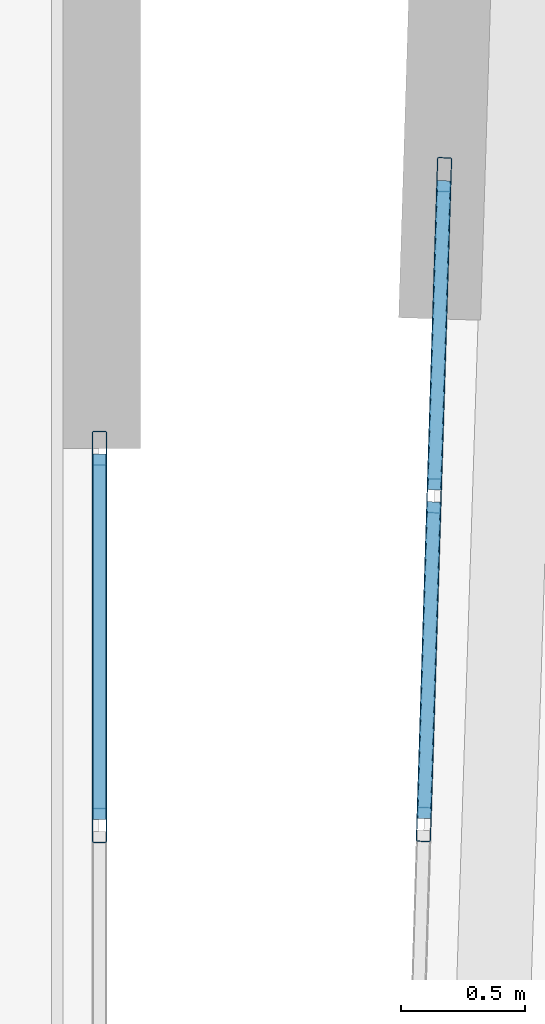
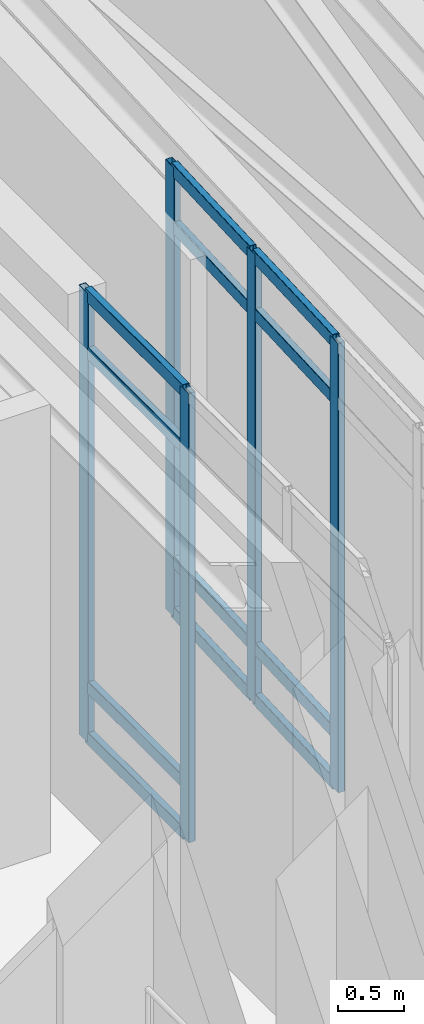
# One storey, part 11 of 19: 17 members, 2 elements without a shape of their own.
"""IFC4 building model written with IfcOpenShell, lengths in metres."""

from ifc_helpers import new_model, si_unit, direction, frame, origin, origin_2d, place, context, subcontext, project, spatial, hollow_rectangle, extrude, material, layer, layer_set, material_profile, profile_set, type_object, element, aggregate, save


model = new_model("IFC4")

# Units and contexts
model_context = context("Model", 3, precision=1e-05, world=origin(), true_north=direction((0.0, 1.0)))
body_context = subcontext(model_context, "Body", "Model", "MODEL_VIEW")
ifc_project = project(units=[si_unit("LENGTHUNIT", "METRE"), si_unit("AREAUNIT", "SQUARE_METRE"), si_unit("VOLUMEUNIT", "CUBIC_METRE"), si_unit("PLANEANGLEUNIT", "RADIAN"), si_unit("MASSUNIT", "GRAM", prefix="KILO")], contexts=[model_context])

# Site, building, storey
site_placement = place(None, origin())
site = spatial("IfcSite", under=ifc_project, at=site_placement, CompositionType="ELEMENT")
building_placement = place(site_placement, origin())
building = spatial("IfcBuilding", under=site, at=building_placement, Name="Ndelora Gate Hotel", CompositionType="ELEMENT")
storey_placement = place(building_placement, frame((0.0, 0.0, 286.0)))
storey = spatial("IfcBuildingStorey", under=building, at=storey_placement, Name="L71", CompositionType="ELEMENT", Elevation=286.0)

# Curtain wall, members
ifc_material_1 = material(Name="Bronze Anodised Unitised Aluminium and Low-E Glass", Category="aluminium")
ifc_layer = layer(ifc_material_1, 0.199951171875)
ifc_layer_set = layer_set([ifc_layer], Name="Bronze Anodised Unitised Aluminium and Low-E Glass")
curtain_wall_type = type_object("IfcCurtainWallType", Name="CW-SYS-8", PredefinedType="NOTDEFINED", material=ifc_layer_set)
curtain_wall_1_placement = place(storey_placement, origin())
curtain_wall_1 = element("IfcCurtainWall", 1, at=curtain_wall_1_placement, inside=storey, type_object=curtain_wall_type, Name="L71 Split-Crown West Cleft Lantern Curtain Wall CW8-2", PredefinedType="NOTDEFINED")
ifc_material_2 = material(Name="Bronze Anodised Aluminium 6063-T6", Category="aluminium")
ifc_material_profile_1 = material_profile(ifc_material_2, hollow_rectangle(XDim=0.06005859375, YDim=0.139892578125, WallThickness=0.00390625, InnerFilletRadius=0.00390625, OuterFilletRadius=0.008056640625, at=origin_2d()), Name="ALU 140x60x4")
ifc_profile_set_1 = profile_set([ifc_material_profile_1], Name="Bronze Anodised Aluminium 6063-T6")
member_type_1 = type_object("IfcMemberType", Name="MB-CW-MUL140", PredefinedType="MULLION", material=ifc_profile_set_1)
member_1_placement = place(storey_placement, frame((8.85009765625, 4.0, -0.00390625), z_axis=(0.0, 0.0, 1.0), x_axis=(-1.0, 0.0, 0.0)))
member_1 = element("IfcMember", 2, at=member_1_placement, type_object=member_type_1, Name="CW8 mullion 3", PredefinedType="MULLION", context=body_context, shape_type="SweptSolid", body=[
    extrude(hollow_rectangle(XDim=0.06005859375, YDim=0.139892578125, WallThickness=0.00390625, InnerFilletRadius=0.00390625, OuterFilletRadius=0.008056640625, at=origin_2d()), origin(), (0.0, 0.0, 1.0), 4.137939453125),
])
member_2_placement = place(storey_placement, frame((8.85009765625, 5.52001953125, -0.00390625), z_axis=(0.0, 0.0, 1.0), x_axis=(-1.0, 0.0, 0.0)))
member_2 = element("IfcMember", 3, at=member_2_placement, type_object=member_type_1, Name="CW8 mullion 4", PredefinedType="MULLION", context=body_context, shape_type="SweptSolid", body=[
    extrude(hollow_rectangle(XDim=0.06005859375, YDim=0.139892578125, WallThickness=0.00390625, InnerFilletRadius=0.00390625, OuterFilletRadius=0.008056640625, at=origin_2d()), origin(), (0.0, 0.0, 1.0), 4.137939453125),
])

curtain_wall_2_placement = place(storey_placement, origin())
curtain_wall_2 = element("IfcCurtainWall", 4, at=curtain_wall_2_placement, inside=storey, type_object=curtain_wall_type, Name="L71 Split-Crown East Cleft Lantern Curtain Wall CW8", PredefinedType="NOTDEFINED")
member_3_placement = place(storey_placement, frame((10.23876953125, 6.622314453125, -0.00390625), z_axis=(0.0, 0.0, 1.0), x_axis=(0.999515302198, -0.031131345484, 0.0)))
member_3 = element("IfcMember", 5, at=member_3_placement, type_object=member_type_1, Name="CW8 mullion 1", PredefinedType="MULLION", context=body_context, shape_type="SweptSolid", body=[
    extrude(hollow_rectangle(XDim=0.06005859375, YDim=0.139892578125, WallThickness=0.00390625, InnerFilletRadius=0.00390625, OuterFilletRadius=0.008056640625, at=origin_2d()), origin(), (0.0, 0.0, 1.0), 4.137939453125),
])
member_4_placement = place(storey_placement, frame((10.198486328125, 5.328125, -0.00390625), z_axis=(0.0, 0.0, 1.0), x_axis=(0.999515302198, -0.031131345484, 0.0)))
member_4 = element("IfcMember", 6, at=member_4_placement, type_object=member_type_1, Name="CW8 mullion 2", PredefinedType="MULLION", context=body_context, shape_type="SweptSolid", body=[
    extrude(hollow_rectangle(XDim=0.06005859375, YDim=0.139892578125, WallThickness=0.00390625, InnerFilletRadius=0.00390625, OuterFilletRadius=0.008056640625, at=origin_2d()), origin(), (0.0, 0.0, 1.0), 4.137939453125),
])
member_5_placement = place(storey_placement, frame((10.1572265625, 4.004150390625, -0.00390625), z_axis=(0.0, 0.0, 1.0), x_axis=(0.999515302198, -0.031131345484, 0.0)))
member_5 = element("IfcMember", 7, at=member_5_placement, type_object=member_type_1, Name="CW8 mullion 3", PredefinedType="MULLION", context=body_context, shape_type="SweptSolid", body=[
    extrude(hollow_rectangle(XDim=0.06005859375, YDim=0.139892578125, WallThickness=0.00390625, InnerFilletRadius=0.00390625, OuterFilletRadius=0.008056640625, at=origin_2d()), origin(), (0.0, 0.0, 1.0), 4.137939453125),
])

# Member
ifc_material_profile_2 = material_profile(ifc_material_2, hollow_rectangle(XDim=0.06005859375, YDim=0.1201171875, WallThickness=0.00390625, InnerFilletRadius=0.00390625, OuterFilletRadius=0.008056640625, at=origin_2d()), Name="ALU 120x60x4")
ifc_profile_set_2 = profile_set([ifc_material_profile_2], Name="Bronze Anodised Aluminium 6063-T6")
member_type_2 = type_object("IfcMemberType", Name="MB-CW-TRN120", PredefinedType="USERDEFINED", material=ifc_profile_set_2)
member_6_placement = place(storey_placement, frame((8.85009765625, 4.02392578125, 0.030029296875), z_axis=(0.0, 1.0, 0.0), x_axis=(-1.0, 0.0, 0.0)))
member_6 = element("IfcMember", 8, at=member_6_placement, type_object=member_type_2, Name="CW8 transom 3.1", ObjectType="TRANSOM", PredefinedType="USERDEFINED", context=body_context, shape_type="SweptSolid", body=[
    extrude(hollow_rectangle(XDim=0.06005859375, YDim=0.1201171875, WallThickness=0.00390625, InnerFilletRadius=0.00390625, OuterFilletRadius=0.008056640625, at=origin_2d()), origin(), (0.0, 0.0, 1.0), 1.47216796875),
])

member_7_placement = place(storey_placement, frame((8.85009765625, 4.02392578125, 0.5), z_axis=(0.0, 1.0, 0.0), x_axis=(-1.0, 0.0, 0.0)))
member_7 = element("IfcMember", 9, at=member_7_placement, type_object=member_type_2, Name="CW8 transom 3.2", ObjectType="TRANSOM", PredefinedType="USERDEFINED", context=body_context, shape_type="SweptSolid", body=[
    extrude(hollow_rectangle(XDim=0.06005859375, YDim=0.1201171875, WallThickness=0.00390625, InnerFilletRadius=0.00390625, OuterFilletRadius=0.008056640625, at=origin_2d()), origin(), (0.0, 0.0, 1.0), 1.47216796875),
])

member_8_placement = place(storey_placement, frame((8.85009765625, 4.02392578125, 3.580078125), z_axis=(0.0, 1.0, 0.0), x_axis=(-1.0, 0.0, 0.0)))
member_8 = element("IfcMember", 10, at=member_8_placement, type_object=member_type_2, Name="CW8 transom 3.3", ObjectType="TRANSOM", PredefinedType="USERDEFINED", context=body_context, shape_type="SweptSolid", body=[
    extrude(hollow_rectangle(XDim=0.06005859375, YDim=0.1201171875, WallThickness=0.00390625, InnerFilletRadius=0.00390625, OuterFilletRadius=0.008056640625, at=origin_2d()), origin(), (0.0, 0.0, 1.0), 1.47216796875),
])

member_9_placement = place(storey_placement, frame((8.85009765625, 4.02392578125, 4.10009765625), z_axis=(0.0, 1.0, 0.0), x_axis=(-1.0, 0.0, 0.0)))
member_9 = element("IfcMember", 11, at=member_9_placement, type_object=member_type_2, Name="CW8 transom 3.4", ObjectType="TRANSOM", PredefinedType="USERDEFINED", context=body_context, shape_type="SweptSolid", body=[
    extrude(hollow_rectangle(XDim=0.06005859375, YDim=0.1201171875, WallThickness=0.00390625, InnerFilletRadius=0.00390625, OuterFilletRadius=0.008056640625, at=origin_2d()), origin(), (0.0, 0.0, 1.0), 1.47216796875),
])

aggregate(curtain_wall_1, [member_1, member_2, member_6, member_7, member_8, member_9])

member_10_placement = place(storey_placement, frame((10.238037109375, 6.59814453125, 0.030029296875), z_axis=(-0.031143028646, -0.999514938241, 0.0), x_axis=(0.999514938241, -0.031143028646, 0.0)))
member_10 = element("IfcMember", 12, at=member_10_placement, type_object=member_type_2, Name="CW8 transom 1.1", ObjectType="TRANSOM", PredefinedType="USERDEFINED", context=body_context, shape_type="SweptSolid", body=[
    extrude(hollow_rectangle(XDim=0.06005859375, YDim=0.1201171875, WallThickness=0.00390625, InnerFilletRadius=0.00390625, OuterFilletRadius=0.008056640625, at=origin_2d()), origin(), (0.0, 0.0, 1.0), 1.246337890625),
])

member_11_placement = place(storey_placement, frame((10.238037109375, 6.59814453125, 0.5), z_axis=(-0.031143028646, -0.999514938241, 0.0), x_axis=(0.999514938241, -0.031143028646, 0.0)))
member_11 = element("IfcMember", 13, at=member_11_placement, type_object=member_type_2, Name="CW8 transom 1.2", ObjectType="TRANSOM", PredefinedType="USERDEFINED", context=body_context, shape_type="SweptSolid", body=[
    extrude(hollow_rectangle(XDim=0.06005859375, YDim=0.1201171875, WallThickness=0.00390625, InnerFilletRadius=0.00390625, OuterFilletRadius=0.008056640625, at=origin_2d()), origin(), (0.0, 0.0, 1.0), 1.246337890625),
])

member_12_placement = place(storey_placement, frame((10.238037109375, 6.59814453125, 3.580078125), z_axis=(-0.031143028646, -0.999514938241, 0.0), x_axis=(0.999514938241, -0.031143028646, 0.0)))
member_12 = element("IfcMember", 14, at=member_12_placement, type_object=member_type_2, Name="CW8 transom 1.3", ObjectType="TRANSOM", PredefinedType="USERDEFINED", context=body_context, shape_type="SweptSolid", body=[
    extrude(hollow_rectangle(XDim=0.06005859375, YDim=0.1201171875, WallThickness=0.00390625, InnerFilletRadius=0.00390625, OuterFilletRadius=0.008056640625, at=origin_2d()), origin(), (0.0, 0.0, 1.0), 1.246337890625),
])

member_13_placement = place(storey_placement, frame((10.238037109375, 6.59814453125, 4.10009765625), z_axis=(-0.031143028646, -0.999514938241, 0.0), x_axis=(0.999514938241, -0.031143028646, 0.0)))
member_13 = element("IfcMember", 15, at=member_13_placement, type_object=member_type_2, Name="CW8 transom 1.4", ObjectType="TRANSOM", PredefinedType="USERDEFINED", context=body_context, shape_type="SweptSolid", body=[
    extrude(hollow_rectangle(XDim=0.06005859375, YDim=0.1201171875, WallThickness=0.00390625, InnerFilletRadius=0.00390625, OuterFilletRadius=0.008056640625, at=origin_2d()), origin(), (0.0, 0.0, 1.0), 1.246337890625),
])

member_14_placement = place(storey_placement, frame((10.19775390625, 5.30419921875, 0.030029296875), z_axis=(-0.031175042529, -0.999513940235, 0.0), x_axis=(0.999513940235, -0.031175042529, 0.0)))
member_14 = element("IfcMember", 16, at=member_14_placement, type_object=member_type_2, Name="CW8 transom 2.1", ObjectType="TRANSOM", PredefinedType="USERDEFINED", context=body_context, shape_type="SweptSolid", body=[
    extrude(hollow_rectangle(XDim=0.06005859375, YDim=0.1201171875, WallThickness=0.00390625, InnerFilletRadius=0.00390625, OuterFilletRadius=0.008056640625, at=origin_2d()), origin(), (0.0, 0.0, 1.0), 1.276611328125),
])

member_15_placement = place(storey_placement, frame((10.19775390625, 5.30419921875, 0.5), z_axis=(-0.031175042529, -0.999513940235, 0.0), x_axis=(0.999513940235, -0.031175042529, 0.0)))
member_15 = element("IfcMember", 17, at=member_15_placement, type_object=member_type_2, Name="CW8 transom 2.2", ObjectType="TRANSOM", PredefinedType="USERDEFINED", context=body_context, shape_type="SweptSolid", body=[
    extrude(hollow_rectangle(XDim=0.06005859375, YDim=0.1201171875, WallThickness=0.00390625, InnerFilletRadius=0.00390625, OuterFilletRadius=0.008056640625, at=origin_2d()), origin(), (0.0, 0.0, 1.0), 1.276611328125),
])

member_16_placement = place(storey_placement, frame((10.19775390625, 5.30419921875, 3.580078125), z_axis=(-0.031175042529, -0.999513940235, 0.0), x_axis=(0.999513940235, -0.031175042529, 0.0)))
member_16 = element("IfcMember", 18, at=member_16_placement, type_object=member_type_2, Name="CW8 transom 2.3", ObjectType="TRANSOM", PredefinedType="USERDEFINED", context=body_context, shape_type="SweptSolid", body=[
    extrude(hollow_rectangle(XDim=0.06005859375, YDim=0.1201171875, WallThickness=0.00390625, InnerFilletRadius=0.00390625, OuterFilletRadius=0.008056640625, at=origin_2d()), origin(), (0.0, 0.0, 1.0), 1.276611328125),
])

member_17_placement = place(storey_placement, frame((10.19775390625, 5.30419921875, 4.10009765625), z_axis=(-0.031175042529, -0.999513940235, 0.0), x_axis=(0.999513940235, -0.031175042529, 0.0)))
member_17 = element("IfcMember", 19, at=member_17_placement, type_object=member_type_2, Name="CW8 transom 2.4", ObjectType="TRANSOM", PredefinedType="USERDEFINED", context=body_context, shape_type="SweptSolid", body=[
    extrude(hollow_rectangle(XDim=0.06005859375, YDim=0.1201171875, WallThickness=0.00390625, InnerFilletRadius=0.00390625, OuterFilletRadius=0.008056640625, at=origin_2d()), origin(), (0.0, 0.0, 1.0), 1.276611328125),
])

aggregate(curtain_wall_2, [member_3, member_4, member_5, member_10, member_11, member_12, member_13, member_14, member_15, member_16, member_17])

save(model, "model.ifc")
